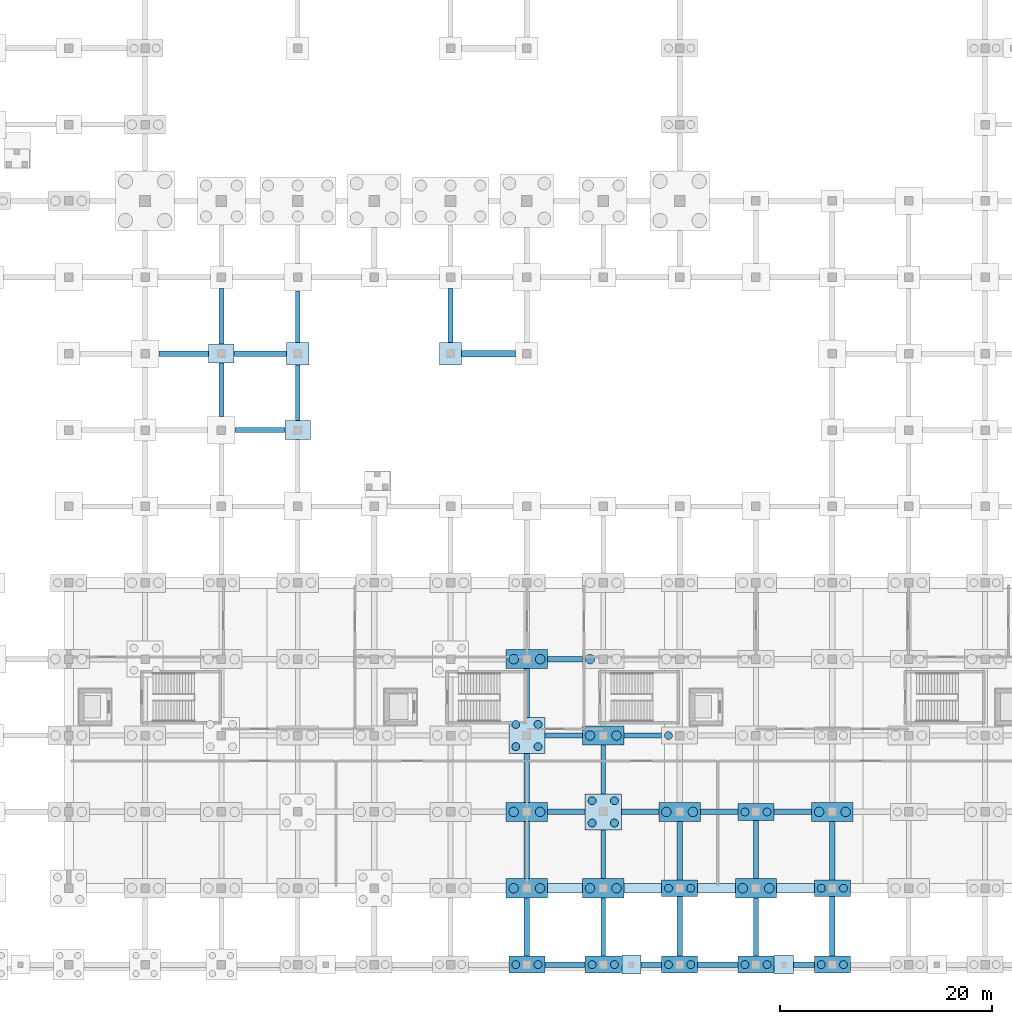
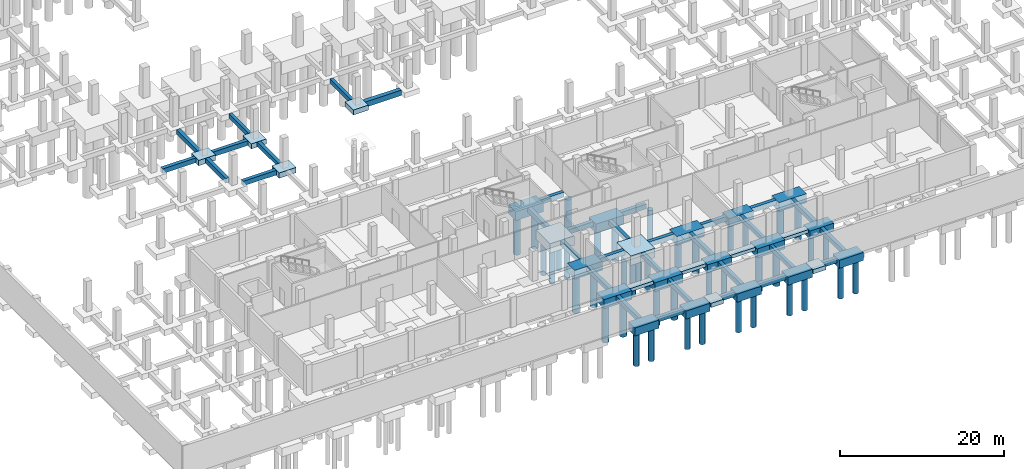
# One storey, part 4 of 22: 61 footings, 42 piles.
"""IFC4 building model written with IfcOpenShell, lengths in metres."""

from ifc_helpers import new_model, si_unit, direction, frame, origin, origin_2d, place, context, subcontext, project, spatial, polyline, rectangle, circle, outline, extrude, material, material_profile, profile_set, type_object, element, save


model = new_model("IFC4")

# Units and contexts
model_context = context("Model", 3, precision=1e-05, world=origin(), true_north=direction((0.0, 1.0)))
body_context = subcontext(model_context, "Body", "Model", "MODEL_VIEW")
ifc_project = project(units=[si_unit("LENGTHUNIT", "METRE"), si_unit("AREAUNIT", "SQUARE_METRE"), si_unit("VOLUMEUNIT", "CUBIC_METRE"), si_unit("PLANEANGLEUNIT", "RADIAN"), si_unit("MASSUNIT", "GRAM", prefix="KILO")], contexts=[model_context])

# Site, building, storey
site_placement = place(None, origin())
site = spatial("IfcSite", under=ifc_project, at=site_placement, CompositionType="ELEMENT")
building_placement = place(site_placement, origin())
building = spatial("IfcBuilding", under=site, at=building_placement, Name="Sardonyx Promenade Sports Hall", CompositionType="ELEMENT")
storey_placement = place(building_placement, frame((0.0, 0.0, -4.5)))
storey = spatial("IfcBuildingStorey", under=building, at=storey_placement, Name="B1", CompositionType="ELEMENT", Elevation=-4.5)

# Footings
ifc_material_1 = material(Name="Concrete C40/50", Category="concrete")
footing_type_1 = type_object("IfcFootingType", Name="Cap_2P_750", PredefinedType="PILE_CAP", material=ifc_material_1)
for number, where, z_axis, x_axis, name in (
    (1, (64.800048828125, 0.0, -1.2001953125), (0.0, 0.0, 1.0), (1.0, 0.0, 0.0), "Pile cap PC02 at (64.80, 0.00)"),
    (2, (72.0, 0.0, -1.2001953125), (0.0, 0.0, 1.0), (1.0, 0.0, 0.0), "Pile cap PC02 at (72.00, 0.00)"),
    (3, (79.199951171875, 0.0, -1.2001953125), (0.0, 0.0, 1.0), (1.0, 0.0, 0.0), "Pile cap PC02 at (79.20, 0.00)"),
    (4, (79.199951171875, 7.199951171875, -1.2001953125), (0.0, 0.0, 1.0), (1.0, 0.0, 0.0), "Pile cap PC02 at (79.20, 7.20)"),
    (5, (86.39990234375, 0.0, -1.2001953125), (0.0, 0.0, 1.0), (1.0, 0.0, 0.0), "Pile cap PC02 at (86.40, 0.00)"),
    (6, (86.39990234375, 14.39990234375, -1.2001953125), (0.0, 0.0, 1.0), (1.0, 0.0, 0.0), "Pile cap PC02 at (86.40, 14.40)"),
    (7, (93.60009765625, 0.0, -1.2001953125), (0.0, 0.0, 1.0), (1.0, 0.0, 0.0), "Pile cap PC02 at (93.60, 0.00)"),
    (8, (93.60009765625, 7.199951171875, -1.2001953125), (0.0, 0.0, 1.0), (1.0, 0.0, 0.0), "Pile cap PC02 at (93.60, 7.20)"),
):
    element("IfcFooting", number, at=place(storey_placement, frame(where, z_axis=z_axis, x_axis=x_axis)), inside=storey, type_object=footing_type_1, Name=name, PredefinedType="PILE_CAP", context=body_context, shape_type="SweptSolid", body=[
        extrude(rectangle(XDim=3.39990234375, YDim=1.60009765625, at=origin_2d()), origin(), (0.0, 0.0, 1.0), 1.199951171875),
    ])
ifc_material_2 = material(Name="Concrete C40/50", Category="concrete")
footing_type_2 = type_object("IfcFootingType", Name="Cap_2P_900", PredefinedType="PILE_CAP", material=ifc_material_2)
for number, where, z_axis, x_axis, name in (
    (9, (64.800048828125, 7.199951171875, -1.35009765625), (0.0, 0.0, 1.0), (1.0, 0.0, 0.0), "Pile cap PC09 at (64.80, 7.20)"),
    (10, (64.800048828125, 14.39990234375, -1.35009765625), (0.0, 0.0, 1.0), (1.0, 0.0, 0.0), "Pile cap PC09 at (64.80, 14.40)"),
    (11, (64.800048828125, 28.800048828125, -1.35009765625), (0.0, 0.0, 1.0), (1.0, 0.0, 0.0), "Pile cap PC09 at (64.80, 28.80)"),
    (12, (72.0, 7.199951171875, -1.35009765625), (0.0, 0.0, 1.0), (1.0, 0.0, 0.0), "Pile cap PC09 at (72.00, 7.20)"),
    (13, (72.0, 21.60009765625, -1.35009765625), (0.0, 0.0, 1.0), (1.0, 0.0, 0.0), "Pile cap PC09 at (72.00, 21.60)"),
    (14, (79.199951171875, 14.39990234375, -1.35009765625), (0.0, 0.0, 1.0), (1.0, 0.0, 0.0), "Pile cap PC09 at (79.20, 14.40)"),
    (15, (86.39990234375, 7.199951171875, -1.35009765625), (0.0, 0.0, 1.0), (1.0, 0.0, 0.0), "Pile cap PC09 at (86.40, 7.20)"),
    (16, (93.60009765625, 14.39990234375, -1.35009765625), (0.0, 0.0, 1.0), (1.0, 0.0, 0.0), "Pile cap PC09 at (93.60, 14.40)"),
):
    element("IfcFooting", number, at=place(storey_placement, frame(where, z_axis=z_axis, x_axis=x_axis)), inside=storey, type_object=footing_type_2, Name=name, PredefinedType="PILE_CAP", context=body_context, shape_type="SweptSolid", body=[
        extrude(rectangle(XDim=3.89990234375, YDim=1.800048828125, at=origin_2d()), origin(), (0.0, 0.0, 1.0), 1.35009765625),
    ])
ifc_material_3 = material(Name="Concrete C40/50", Category="concrete")
footing_type_3 = type_object("IfcFootingType", Name="Cap_4P_750", PredefinedType="PILE_CAP", material=ifc_material_3)
for number, where, z_axis, x_axis, name in (
    (17, (64.800048828125, 21.60009765625, -1.39990234375), (0.0, 0.0, 1.0), (1.0, 0.0, 0.0), "Pile cap PC04 at (64.80, 21.60)"),
    (18, (72.0, 14.39990234375, -1.39990234375), (0.0, 0.0, 1.0), (1.0, 0.0, 0.0), "Pile cap PC04 at (72.00, 14.40)"),
):
    element("IfcFooting", number, at=place(storey_placement, frame(where, z_axis=z_axis, x_axis=x_axis)), inside=storey, type_object=footing_type_3, Name=name, PredefinedType="PILE_CAP", context=body_context, shape_type="SweptSolid", body=[
        extrude(rectangle(XDim=3.39990234375, YDim=3.39990234375, at=origin_2d()), origin(), (0.0, 0.0, 1.0), 1.39990234375),
    ])
ifc_material_4 = material(Name="Concrete C40/50", Category="concrete")
footing_type_4 = type_object("IfcFootingType", Name="Ftg_Beam_450x650", PredefinedType="FOOTING_BEAM", material=ifc_material_4)
footing_1_placement = place(storey_placement, frame((0.0, 0.0, -0.64990234375)))
element("IfcFooting", 19, at=footing_1_placement, inside=storey, type_object=footing_type_4, Name="Ground tie beam GB03 #282", PredefinedType="FOOTING_BEAM", context=body_context, shape_type="SweptSolid", body=[
    extrude(outline(polyline([(42.97509765625, 51.300048828125), (43.425048828125, 51.300048828125), (43.425048828125, 56.550048828125), (42.97509765625, 56.550048828125), (42.97509765625, 51.300048828125)])), origin(), (0.0, 0.0, 1.0), 0.64990234375),
])
footing_2_placement = place(storey_placement, frame((0.0, 0.0, -0.64990234375)))
element("IfcFooting", 20, at=footing_2_placement, inside=storey, type_object=footing_type_4, Name="Ground tie beam GB03 #283", PredefinedType="FOOTING_BEAM", context=body_context, shape_type="SweptSolid", body=[
    extrude(outline(polyline([(42.97509765625, 58.64990234375), (43.425048828125, 58.64990234375), (43.425048828125, 63.5), (42.97509765625, 63.5), (42.97509765625, 58.64990234375)])), origin(), (0.0, 0.0, 1.0), 0.64990234375),
])
footing_3_placement = place(storey_placement, frame((0.0, 0.0, -0.64990234375)))
element("IfcFooting", 21, at=footing_3_placement, inside=storey, type_object=footing_type_4, Name="Ground tie beam GB03 #300", PredefinedType="FOOTING_BEAM", context=body_context, shape_type="SweptSolid", body=[
    extrude(outline(polyline([(57.375, 58.64990234375), (57.824951171875, 58.64990234375), (57.824951171875, 63.75), (57.375, 63.75), (57.375, 58.64990234375)])), origin(), (0.0, 0.0, 1.0), 0.64990234375),
])
footing_4_placement = place(storey_placement, frame((0.0, 0.0, -0.64990234375)))
element("IfcFooting", 22, at=footing_4_placement, inside=storey, type_object=footing_type_4, Name="Ground tie beam GB03 #314", PredefinedType="FOOTING_BEAM", context=body_context, shape_type="SweptSolid", body=[
    extrude(outline(polyline([(71.77490234375, 0.800048828125), (72.22509765625, 0.800048828125), (72.22509765625, 6.300048828125), (71.77490234375, 6.300048828125), (71.77490234375, 0.800048828125)])), origin(), (0.0, 0.0, 1.0), 0.64990234375),
])
footing_5_placement = place(storey_placement, frame((0.0, 0.0, -0.64990234375)))
element("IfcFooting", 23, at=footing_5_placement, inside=storey, type_object=footing_type_4, Name="Ground tie beam GB03 #315", PredefinedType="FOOTING_BEAM", context=body_context, shape_type="SweptSolid", body=[
    extrude(outline(polyline([(71.77490234375, 8.10009765625), (72.22509765625, 8.10009765625), (72.22509765625, 12.699951171875), (71.77490234375, 12.699951171875), (71.77490234375, 8.10009765625)])), origin(), (0.0, 0.0, 1.0), 0.64990234375),
])
footing_6_placement = place(storey_placement, frame((0.0, 0.0, -0.64990234375)))
element("IfcFooting", 24, at=footing_6_placement, inside=storey, type_object=footing_type_4, Name="Ground tie beam GB03 #316", PredefinedType="FOOTING_BEAM", context=body_context, shape_type="SweptSolid", body=[
    extrude(outline(polyline([(71.77490234375, 16.10009765625), (72.22509765625, 16.10009765625), (72.22509765625, 20.699951171875), (71.77490234375, 20.699951171875), (71.77490234375, 16.10009765625)])), origin(), (0.0, 0.0, 1.0), 0.64990234375),
])
footing_7_placement = place(storey_placement, frame((0.0, 0.0, -0.64990234375)))
element("IfcFooting", 25, at=footing_7_placement, inside=storey, type_object=footing_type_4, Name="Ground tie beam GB03 #332", PredefinedType="FOOTING_BEAM", context=body_context, shape_type="SweptSolid", body=[
    extrude(outline(polyline([(86.175048828125, 0.800048828125), (86.625, 0.800048828125), (86.625, 6.300048828125), (86.175048828125, 6.300048828125), (86.175048828125, 0.800048828125)])), origin(), (0.0, 0.0, 1.0), 0.64990234375),
])
footing_8_placement = place(storey_placement, frame((0.0, 0.0, -0.64990234375)))
element("IfcFooting", 26, at=footing_8_placement, inside=storey, type_object=footing_type_4, Name="Ground tie beam GB03 #333", PredefinedType="FOOTING_BEAM", context=body_context, shape_type="SweptSolid", body=[
    extrude(outline(polyline([(86.175048828125, 8.10009765625), (86.625, 8.10009765625), (86.625, 13.60009765625), (86.175048828125, 13.60009765625), (86.175048828125, 8.10009765625)])), origin(), (0.0, 0.0, 1.0), 0.64990234375),
])
ifc_material_5 = material(Name="Concrete C40/50", Category="concrete")
footing_type_5 = type_object("IfcFootingType", Name="Ftg_Beam_500x700", PredefinedType="FOOTING_BEAM", material=ifc_material_5)
footing_9_placement = place(storey_placement, frame((0.0, 0.0, -0.699951171875)))
element("IfcFooting", 27, at=footing_9_placement, inside=storey, type_object=footing_type_5, Name="Ground tie beam GB01 #10", PredefinedType="FOOTING_BEAM", context=body_context, shape_type="SweptSolid", body=[
    extrude(outline(polyline([(66.5, -0.25), (70.300048828125, -0.25), (70.300048828125, 0.25), (66.5, 0.25), (66.5, -0.25)])), origin(), (0.0, 0.0, 1.0), 0.699951171875),
])
footing_10_placement = place(storey_placement, frame((0.0, 0.0, -0.699951171875)))
element("IfcFooting", 28, at=footing_10_placement, inside=storey, type_object=footing_type_5, Name="Ground tie beam GB01 #11", PredefinedType="FOOTING_BEAM", context=body_context, shape_type="SweptSolid", body=[
    extrude(outline(polyline([(75.550048828125, -0.25), (77.5, -0.25), (77.5, 0.25), (75.550048828125, 0.25), (75.550048828125, -0.25)])), origin(), (0.0, 0.0, 1.0), 0.699951171875),
])
footing_11_placement = place(storey_placement, frame((0.0, 0.0, -0.699951171875)))
element("IfcFooting", 29, at=footing_11_placement, inside=storey, type_object=footing_type_5, Name="Ground tie beam GB01 #12", PredefinedType="FOOTING_BEAM", context=body_context, shape_type="SweptSolid", body=[
    extrude(outline(polyline([(80.89990234375, -0.25), (84.699951171875, -0.25), (84.699951171875, 0.25), (80.89990234375, 0.25), (80.89990234375, -0.25)])), origin(), (0.0, 0.0, 1.0), 0.699951171875),
])
footing_12_placement = place(storey_placement, frame((0.0, 0.0, -0.699951171875)))
element("IfcFooting", 30, at=footing_12_placement, inside=storey, type_object=footing_type_5, Name="Ground tie beam GB01 #13", PredefinedType="FOOTING_BEAM", context=body_context, shape_type="SweptSolid", body=[
    extrude(outline(polyline([(89.949951171875, -0.25), (91.89990234375, -0.25), (91.89990234375, 0.25), (89.949951171875, 0.25), (89.949951171875, -0.25)])), origin(), (0.0, 0.0, 1.0), 0.699951171875),
])
footing_13_placement = place(storey_placement, frame((0.0, 0.0, -0.699951171875)))
element("IfcFooting", 31, at=footing_13_placement, inside=storey, type_object=footing_type_5, Name="Ground tie beam GB01 #33", PredefinedType="FOOTING_BEAM", context=body_context, shape_type="SweptSolid", body=[
    extrude(outline(polyline([(66.75, 14.14990234375), (70.300048828125, 14.14990234375), (70.300048828125, 14.64990234375), (66.75, 14.64990234375), (66.75, 14.14990234375)])), origin(), (0.0, 0.0, 1.0), 0.699951171875),
])
footing_14_placement = place(storey_placement, frame((0.0, 0.0, -0.699951171875)))
element("IfcFooting", 32, at=footing_14_placement, inside=storey, type_object=footing_type_5, Name="Ground tie beam GB01 #34", PredefinedType="FOOTING_BEAM", context=body_context, shape_type="SweptSolid", body=[
    extrude(outline(polyline([(73.699951171875, 14.14990234375), (77.25, 14.14990234375), (77.25, 14.64990234375), (73.699951171875, 14.64990234375), (73.699951171875, 14.14990234375)])), origin(), (0.0, 0.0, 1.0), 0.699951171875),
])
footing_15_placement = place(storey_placement, frame((0.0, 0.0, -0.699951171875)))
element("IfcFooting", 33, at=footing_15_placement, inside=storey, type_object=footing_type_5, Name="Ground tie beam GB01 #35", PredefinedType="FOOTING_BEAM", context=body_context, shape_type="SweptSolid", body=[
    extrude(outline(polyline([(81.14990234375, 14.14990234375), (84.699951171875, 14.14990234375), (84.699951171875, 14.64990234375), (81.14990234375, 14.64990234375), (81.14990234375, 14.14990234375)])), origin(), (0.0, 0.0, 1.0), 0.699951171875),
])
footing_16_placement = place(storey_placement, frame((0.0, 0.0, -0.699951171875)))
element("IfcFooting", 34, at=footing_16_placement, inside=storey, type_object=footing_type_5, Name="Ground tie beam GB01 #36", PredefinedType="FOOTING_BEAM", context=body_context, shape_type="SweptSolid", body=[
    extrude(outline(polyline([(88.10009765625, 14.14990234375), (91.64990234375, 14.14990234375), (91.64990234375, 14.64990234375), (88.10009765625, 14.64990234375), (88.10009765625, 14.14990234375)])), origin(), (0.0, 0.0, 1.0), 0.699951171875),
])
footing_17_placement = place(storey_placement, frame((0.0, 0.0, -0.699951171875)))
element("IfcFooting", 35, at=footing_17_placement, inside=storey, type_object=footing_type_5, Name="Ground tie beam GB01 #56", PredefinedType="FOOTING_BEAM", context=body_context, shape_type="SweptSolid", body=[
    extrude(outline(polyline([(66.5, 21.35009765625), (70.050048828125, 21.35009765625), (70.050048828125, 21.85009765625), (66.5, 21.85009765625), (66.5, 21.35009765625)])), origin(), (0.0, 0.0, 1.0), 0.699951171875),
])
footing_18_placement = place(storey_placement, frame((0.0, 0.0, -0.699951171875)))
element("IfcFooting", 36, at=footing_18_placement, inside=storey, type_object=footing_type_5, Name="Ground tie beam GB01 #57", PredefinedType="FOOTING_BEAM", context=body_context, shape_type="SweptSolid", body=[
    extrude(outline(polyline([(73.949951171875, 21.35009765625), (77.5, 21.35009765625), (77.5, 21.85009765625), (73.949951171875, 21.85009765625), (73.949951171875, 21.35009765625)])), origin(), (0.0, 0.0, 1.0), 0.699951171875),
])
footing_19_placement = place(storey_placement, frame((0.0, 0.0, -0.699951171875)))
element("IfcFooting", 37, at=footing_19_placement, inside=storey, type_object=footing_type_5, Name="Ground tie beam GB01 #79", PredefinedType="FOOTING_BEAM", context=body_context, shape_type="SweptSolid", body=[
    extrude(outline(polyline([(66.75, 28.550048828125), (70.050048828125, 28.550048828125), (70.050048828125, 29.050048828125), (66.75, 29.050048828125), (66.75, 28.550048828125)])), origin(), (0.0, 0.0, 1.0), 0.699951171875),
])
footing_20_placement = place(storey_placement, frame((0.0, 0.0, -0.699951171875)))
element("IfcFooting", 38, at=footing_20_placement, inside=storey, type_object=footing_type_5, Name="Ground tie beam GB01 #115", PredefinedType="FOOTING_BEAM", context=body_context, shape_type="SweptSolid", body=[
    extrude(outline(polyline([(37.300048828125, 50.14990234375), (42.0, 50.14990234375), (42.0, 50.64990234375), (37.300048828125, 50.64990234375), (37.300048828125, 50.14990234375)])), origin(), (0.0, 0.0, 1.0), 0.699951171875),
])
footing_21_placement = place(storey_placement, frame((0.0, 0.0, -0.699951171875)))
element("IfcFooting", 39, at=footing_21_placement, inside=storey, type_object=footing_type_5, Name="Ground tie beam GB01 #127", PredefinedType="FOOTING_BEAM", context=body_context, shape_type="SweptSolid", body=[
    extrude(outline(polyline([(30.10009765625, 57.35009765625), (34.800048828125, 57.35009765625), (34.800048828125, 57.85009765625), (30.10009765625, 57.85009765625), (30.10009765625, 57.35009765625)])), origin(), (0.0, 0.0, 1.0), 0.699951171875),
])
footing_22_placement = place(storey_placement, frame((0.0, 0.0, -0.699951171875)))
element("IfcFooting", 40, at=footing_22_placement, inside=storey, type_object=footing_type_5, Name="Ground tie beam GB01 #128", PredefinedType="FOOTING_BEAM", context=body_context, shape_type="SweptSolid", body=[
    extrude(outline(polyline([(37.199951171875, 57.35009765625), (42.14990234375, 57.35009765625), (42.14990234375, 57.85009765625), (37.199951171875, 57.85009765625), (37.199951171875, 57.35009765625)])), origin(), (0.0, 0.0, 1.0), 0.699951171875),
])
footing_23_placement = place(storey_placement, frame((0.0, 0.0, -0.699951171875)))
element("IfcFooting", 41, at=footing_23_placement, inside=storey, type_object=footing_type_5, Name="Ground tie beam GB01 #272", PredefinedType="FOOTING_BEAM", context=body_context, shape_type="SweptSolid", body=[
    extrude(outline(polyline([(35.75, 51.699951171875), (36.25, 51.699951171875), (36.25, 56.699951171875), (35.75, 56.699951171875), (35.75, 51.699951171875)])), origin(), (0.0, 0.0, 1.0), 0.699951171875),
])
footing_24_placement = place(storey_placement, frame((0.0, 0.0, -0.699951171875)))
element("IfcFooting", 42, at=footing_24_placement, inside=storey, type_object=footing_type_5, Name="Ground tie beam GB01 #273", PredefinedType="FOOTING_BEAM", context=body_context, shape_type="SweptSolid", body=[
    extrude(outline(polyline([(35.75, 58.5), (36.25, 58.5), (36.25, 63.75), (35.75, 63.75), (35.75, 58.5)])), origin(), (0.0, 0.0, 1.0), 0.699951171875),
])
footing_25_placement = place(storey_placement, frame((0.0, 0.0, -0.699951171875)))
element("IfcFooting", 43, at=footing_25_placement, inside=storey, type_object=footing_type_5, Name="Ground tie beam GB01 #304", PredefinedType="FOOTING_BEAM", context=body_context, shape_type="SweptSolid", body=[
    extrude(outline(polyline([(64.550048828125, 0.800048828125), (65.050048828125, 0.800048828125), (65.050048828125, 6.300048828125), (64.550048828125, 6.300048828125), (64.550048828125, 0.800048828125)])), origin(), (0.0, 0.0, 1.0), 0.699951171875),
])
footing_26_placement = place(storey_placement, frame((0.0, 0.0, -0.699951171875)))
element("IfcFooting", 44, at=footing_26_placement, inside=storey, type_object=footing_type_5, Name="Ground tie beam GB01 #305", PredefinedType="FOOTING_BEAM", context=body_context, shape_type="SweptSolid", body=[
    extrude(outline(polyline([(64.550048828125, 8.10009765625), (65.050048828125, 8.10009765625), (65.050048828125, 13.5), (64.550048828125, 13.5), (64.550048828125, 8.10009765625)])), origin(), (0.0, 0.0, 1.0), 0.699951171875),
])
footing_27_placement = place(storey_placement, frame((0.0, 0.0, -0.699951171875)))
element("IfcFooting", 45, at=footing_27_placement, inside=storey, type_object=footing_type_5, Name="Ground tie beam GB01 #306", PredefinedType="FOOTING_BEAM", context=body_context, shape_type="SweptSolid", body=[
    extrude(outline(polyline([(64.550048828125, 15.300048828125), (65.050048828125, 15.300048828125), (65.050048828125, 19.89990234375), (64.550048828125, 19.89990234375), (64.550048828125, 15.300048828125)])), origin(), (0.0, 0.0, 1.0), 0.699951171875),
])
footing_28_placement = place(storey_placement, frame((0.0, 0.0, -0.699951171875)))
element("IfcFooting", 46, at=footing_28_placement, inside=storey, type_object=footing_type_5, Name="Ground tie beam GB01 #307", PredefinedType="FOOTING_BEAM", context=body_context, shape_type="SweptSolid", body=[
    extrude(outline(polyline([(64.550048828125, 23.300048828125), (65.050048828125, 23.300048828125), (65.050048828125, 27.89990234375), (64.550048828125, 27.89990234375), (64.550048828125, 23.300048828125)])), origin(), (0.0, 0.0, 1.0), 0.699951171875),
])
footing_29_placement = place(storey_placement, frame((0.0, 0.0, -0.699951171875)))
element("IfcFooting", 47, at=footing_29_placement, inside=storey, type_object=footing_type_5, Name="Ground tie beam GB01 #321", PredefinedType="FOOTING_BEAM", context=body_context, shape_type="SweptSolid", body=[
    extrude(outline(polyline([(78.949951171875, 0.800048828125), (79.449951171875, 0.800048828125), (79.449951171875, 6.39990234375), (78.949951171875, 6.39990234375), (78.949951171875, 0.800048828125)])), origin(), (0.0, 0.0, 1.0), 0.699951171875),
])
footing_30_placement = place(storey_placement, frame((0.0, 0.0, -0.699951171875)))
element("IfcFooting", 48, at=footing_30_placement, inside=storey, type_object=footing_type_5, Name="Ground tie beam GB01 #322", PredefinedType="FOOTING_BEAM", context=body_context, shape_type="SweptSolid", body=[
    extrude(outline(polyline([(78.949951171875, 8.0), (79.449951171875, 8.0), (79.449951171875, 13.5), (78.949951171875, 13.5), (78.949951171875, 8.0)])), origin(), (0.0, 0.0, 1.0), 0.699951171875),
])
footing_31_placement = place(storey_placement, frame((0.0, 0.0, -0.699951171875)))
element("IfcFooting", 49, at=footing_31_placement, inside=storey, type_object=footing_type_5, Name="Ground tie beam GB01 #340", PredefinedType="FOOTING_BEAM", context=body_context, shape_type="SweptSolid", body=[
    extrude(outline(polyline([(93.35009765625, 0.800048828125), (93.85009765625, 0.800048828125), (93.85009765625, 6.39990234375), (93.35009765625, 6.39990234375), (93.35009765625, 0.800048828125)])), origin(), (0.0, 0.0, 1.0), 0.699951171875),
])
footing_32_placement = place(storey_placement, frame((0.0, 0.0, -0.699951171875)))
element("IfcFooting", 50, at=footing_32_placement, inside=storey, type_object=footing_type_5, Name="Ground tie beam GB01 #341", PredefinedType="FOOTING_BEAM", context=body_context, shape_type="SweptSolid", body=[
    extrude(outline(polyline([(93.35009765625, 8.0), (93.85009765625, 8.0), (93.85009765625, 13.5), (93.35009765625, 13.5), (93.35009765625, 8.0)])), origin(), (0.0, 0.0, 1.0), 0.699951171875),
])
ifc_material_6 = material(Name="Concrete C40/50", Category="concrete")
footing_type_6 = type_object("IfcFootingType", Name="Ftg_Beam_600x800", PredefinedType="FOOTING_BEAM", material=ifc_material_6)
footing_33_placement = place(storey_placement, frame((0.0, 0.0, -0.800048828125)))
element("IfcFooting", 51, at=footing_33_placement, inside=storey, type_object=footing_type_6, Name="Ground tie beam GB02 #129", PredefinedType="FOOTING_BEAM", context=body_context, shape_type="SweptSolid", body=[
    extrude(outline(polyline([(58.64990234375, 57.300048828125), (63.75, 57.300048828125), (63.75, 57.89990234375), (58.64990234375, 57.89990234375), (58.64990234375, 57.300048828125)])), origin(), (0.0, 0.0, 1.0), 0.800048828125),
])
ifc_material_7 = material(Name="Concrete C40/50", Category="concrete")
footing_type_7 = type_object("IfcFootingType", Name="Ftg_Pad_1800", PredefinedType="PAD_FOOTING", material=ifc_material_7)
for number, where, z_axis, x_axis, name in (
    (52, (74.64990234375, 0.0, -0.64990234375), (0.0, 0.0, 1.0), (1.0, 0.0, 0.0), "Pilaster pad footing #3"),
    (53, (89.050048828125, 0.0, -0.64990234375), (0.0, 0.0, 1.0), (1.0, 0.0, 0.0), "Pilaster pad footing #4"),
):
    element("IfcFooting", number, at=place(storey_placement, frame(where, z_axis=z_axis, x_axis=x_axis)), inside=storey, type_object=footing_type_7, Name=name, PredefinedType="PAD_FOOTING", context=body_context, shape_type="SweptSolid", body=[
        extrude(rectangle(XDim=1.800048828125, YDim=1.800048828125, at=origin_2d()), origin(), (0.0, 0.0, 1.0), 0.64990234375),
    ])
ifc_material_8 = material(Name="Concrete C40/50", Category="concrete")
footing_type_8 = type_object("IfcFootingType", Name="Ftg_Pad_2100", PredefinedType="PAD_FOOTING", material=ifc_material_8)
for number, where, z_axis, x_axis, name in (
    (54, (43.199951171875, 57.60009765625, -0.75), (0.0, 0.0, 1.0), (1.0, 0.0, 0.0), "Rock-bearing pad footing PF02 at (43.20, 57.60)"),
    (55, (57.60009765625, 57.60009765625, -0.75), (0.0, 0.0, 1.0), (1.0, 0.0, 0.0), "Substructure court slab pad footing PF02 #44"),
):
    element("IfcFooting", number, at=place(storey_placement, frame(where, z_axis=z_axis, x_axis=x_axis)), inside=storey, type_object=footing_type_8, Name=name, PredefinedType="PAD_FOOTING", context=body_context, shape_type="SweptSolid", body=[
        extrude(rectangle(XDim=2.10009765625, YDim=2.10009765625, at=origin_2d()), origin(), (0.0, 0.0, 1.0), 0.75),
    ])
ifc_material_9 = material(Name="Concrete C40/50", Category="concrete")
footing_type_9 = type_object("IfcFootingType", Name="Ftg_Pad_2400x1800", PredefinedType="PAD_FOOTING", material=ifc_material_9)
for number, where, z_axis, x_axis, name in (
    (56, (36.0, 57.60009765625, -0.7998046875), (0.0, 0.0, 1.0), (1.0, 0.0, 0.0), "Rock-bearing pad footing PF03 at (36.00, 57.60)"),
    (57, (43.199951171875, 50.39990234375, -0.7998046875), (0.0, 0.0, 1.0), (1.0, 0.0, 0.0), "Rock-bearing pad footing PF03 at (43.20, 50.40)"),
):
    element("IfcFooting", number, at=place(storey_placement, frame(where, z_axis=z_axis, x_axis=x_axis)), inside=storey, type_object=footing_type_9, Name=name, PredefinedType="PAD_FOOTING", context=body_context, shape_type="SweptSolid", body=[
        extrude(rectangle(XDim=2.39990234375, YDim=1.800048828125, at=origin_2d()), origin(), (0.0, 0.0, 1.0), 0.800048828125),
    ])
ifc_material_10 = material(Name="Concrete C40/50", Category="concrete")
footing_type_10 = type_object("IfcFootingType", Name="Ftg_Strip_900x500", PredefinedType="STRIP_FOOTING", material=ifc_material_10)
footing_34_placement = place(storey_placement, frame((0.0, 0.0, -0.5)))
element("IfcFooting", 58, at=footing_34_placement, inside=storey, type_object=footing_type_10, Name="Basement wall strip footing SF01 #7", PredefinedType="STRIP_FOOTING", context=body_context, shape_type="SweptSolid", body=[
    extrude(outline(polyline([(66.75, 6.75), (70.050048828125, 6.75), (70.050048828125, 7.64990234375), (66.75, 7.64990234375), (66.75, 6.75)])), origin(), (0.0, 0.0, 1.0), 0.5),
])
footing_35_placement = place(storey_placement, frame((0.0, 0.0, -0.5)))
element("IfcFooting", 59, at=footing_35_placement, inside=storey, type_object=footing_type_10, Name="Basement wall strip footing SF01 #8", PredefinedType="STRIP_FOOTING", context=body_context, shape_type="SweptSolid", body=[
    extrude(outline(polyline([(73.949951171875, 6.75), (77.5, 6.75), (77.5, 7.64990234375), (73.949951171875, 7.64990234375), (73.949951171875, 6.75)])), origin(), (0.0, 0.0, 1.0), 0.5),
])
footing_36_placement = place(storey_placement, frame((0.0, 0.0, -0.5)))
element("IfcFooting", 60, at=footing_36_placement, inside=storey, type_object=footing_type_10, Name="Basement wall strip footing SF01 #9", PredefinedType="STRIP_FOOTING", context=body_context, shape_type="SweptSolid", body=[
    extrude(outline(polyline([(80.89990234375, 6.75), (84.449951171875, 6.75), (84.449951171875, 7.64990234375), (80.89990234375, 7.64990234375), (80.89990234375, 6.75)])), origin(), (0.0, 0.0, 1.0), 0.5),
])
footing_37_placement = place(storey_placement, frame((0.0, 0.0, -0.5)))
element("IfcFooting", 61, at=footing_37_placement, inside=storey, type_object=footing_type_10, Name="Basement wall strip footing SF01 #10", PredefinedType="STRIP_FOOTING", context=body_context, shape_type="SweptSolid", body=[
    extrude(outline(polyline([(88.35009765625, 6.75), (91.89990234375, 6.75), (91.89990234375, 7.64990234375), (88.35009765625, 7.64990234375), (88.35009765625, 6.75)])), origin(), (0.0, 0.0, 1.0), 0.5),
])

# Piles
ifc_material_11 = material(Name="Concrete C40/50", Category="concrete")
ifc_material_profile_1 = material_profile(ifc_material_11, circle(Radius=0.375, at=origin_2d()))
ifc_profile_set_1 = profile_set([ifc_material_profile_1], Name="Concrete C40/50")
pile_type_1 = type_object("IfcPileType", Name="Pile_BP750", PredefinedType="BORED", material=ifc_profile_set_1)
for number, where, z_axis, x_axis, name in (
    (62, (63.75, 0.0, -1.10009765625), (0.0, 0.0, -1.0), (1.0, 0.0, 0.0), "Bored pile BP02 #1 under ftg:cap:64.800_0.000"),
    (63, (65.85009765625, 0.0, -1.10009765625), (0.0, 0.0, -1.0), (1.0, 0.0, 0.0), "Bored pile BP02 #2 under ftg:cap:64.800_0.000"),
    (64, (63.75, 20.550048828125, -1.300048828125), (0.0, 0.0, -1.0), (1.0, 0.0, 0.0), "Bored pile BP02 #1 under ftg:cap:64.800_21.600"),
    (65, (65.85009765625, 20.550048828125, -1.300048828125), (0.0, 0.0, -1.0), (1.0, 0.0, 0.0), "Bored pile BP02 #2 under ftg:cap:64.800_21.600"),
    (66, (63.75, 22.64990234375, -1.300048828125), (0.0, 0.0, -1.0), (1.0, 0.0, 0.0), "Bored pile BP02 #3 under ftg:cap:64.800_21.600"),
    (67, (65.85009765625, 22.64990234375, -1.300048828125), (0.0, 0.0, -1.0), (1.0, 0.0, 0.0), "Bored pile BP02 #4 under ftg:cap:64.800_21.600"),
    (68, (70.949951171875, 0.0, -1.10009765625), (0.0, 0.0, -1.0), (1.0, 0.0, 0.0), "Bored pile BP02 #1 under ftg:cap:72.000_0.000"),
    (69, (73.050048828125, 0.0, -1.10009765625), (0.0, 0.0, -1.0), (1.0, 0.0, 0.0), "Bored pile BP02 #2 under ftg:cap:72.000_0.000"),
    (70, (70.949951171875, 13.35009765625, -1.300048828125), (0.0, 0.0, -1.0), (1.0, 0.0, 0.0), "Bored pile BP02 #1 under ftg:cap:72.000_14.400"),
    (71, (73.050048828125, 13.35009765625, -1.300048828125), (0.0, 0.0, -1.0), (1.0, 0.0, 0.0), "Bored pile BP02 #2 under ftg:cap:72.000_14.400"),
    (72, (70.949951171875, 15.449951171875, -1.300048828125), (0.0, 0.0, -1.0), (1.0, 0.0, 0.0), "Bored pile BP02 #3 under ftg:cap:72.000_14.400"),
    (73, (73.050048828125, 15.449951171875, -1.300048828125), (0.0, 0.0, -1.0), (1.0, 0.0, 0.0), "Bored pile BP02 #4 under ftg:cap:72.000_14.400"),
    (74, (78.14990234375, 0.0, -1.10009765625), (0.0, 0.0, -1.0), (1.0, 0.0, 0.0), "Bored pile BP02 #1 under ftg:cap:79.200_0.000"),
    (75, (80.25, 0.0, -1.10009765625), (0.0, 0.0, -1.0), (1.0, 0.0, 0.0), "Bored pile BP02 #2 under ftg:cap:79.200_0.000"),
    (76, (78.14990234375, 7.199951171875, -1.10009765625), (0.0, 0.0, -1.0), (1.0, 0.0, 0.0), "Bored pile BP02 #1 under ftg:cap:79.200_7.200"),
    (77, (80.25, 7.199951171875, -1.10009765625), (0.0, 0.0, -1.0), (1.0, 0.0, 0.0), "Bored pile BP02 #2 under ftg:cap:79.200_7.200"),
    (78, (78.14990234375, 21.60009765625, -1.10009765625), (0.0, 0.0, -1.0), (1.0, 0.0, 0.0), "Bored pile BP02 #1 under ftg:cap:79.200_21.600"),
    (79, (85.35009765625, 0.0, -1.10009765625), (0.0, 0.0, -1.0), (1.0, 0.0, 0.0), "Bored pile BP02 #1 under ftg:cap:86.400_0.000"),
    (80, (87.449951171875, 0.0, -1.10009765625), (0.0, 0.0, -1.0), (1.0, 0.0, 0.0), "Bored pile BP02 #2 under ftg:cap:86.400_0.000"),
    (81, (85.35009765625, 14.39990234375, -1.10009765625), (0.0, 0.0, -1.0), (1.0, 0.0, 0.0), "Bored pile BP02 #1 under ftg:cap:86.400_14.400"),
    (82, (87.449951171875, 14.39990234375, -1.10009765625), (0.0, 0.0, -1.0), (1.0, 0.0, 0.0), "Bored pile BP02 #2 under ftg:cap:86.400_14.400"),
    (83, (92.550048828125, 0.0, -1.10009765625), (0.0, 0.0, -1.0), (1.0, 0.0, 0.0), "Bored pile BP02 #1 under ftg:cap:93.600_0.000"),
    (84, (94.64990234375, 0.0, -1.10009765625), (0.0, 0.0, -1.0), (1.0, 0.0, 0.0), "Bored pile BP02 #2 under ftg:cap:93.600_0.000"),
    (85, (92.550048828125, 7.199951171875, -1.10009765625), (0.0, 0.0, -1.0), (1.0, 0.0, 0.0), "Bored pile BP02 #1 under ftg:cap:93.600_7.200"),
    (86, (94.64990234375, 7.199951171875, -1.10009765625), (0.0, 0.0, -1.0), (1.0, 0.0, 0.0), "Bored pile BP02 #2 under ftg:cap:93.600_7.200"),
):
    element("IfcPile", number, at=place(storey_placement, frame(where, z_axis=z_axis, x_axis=x_axis)), inside=storey, type_object=pile_type_1, Name=name, PredefinedType="BORED", context=body_context, shape_type="SweptSolid", body=[
        extrude(circle(Radius=0.375, at=origin_2d()), origin(), (0.0, 0.0, 1.0), 5.10009765625),
    ])
ifc_material_12 = material(Name="Concrete C40/50", Category="concrete")
ifc_material_profile_2 = material_profile(ifc_material_12, circle(Radius=0.449951171875, at=origin_2d()))
ifc_profile_set_2 = profile_set([ifc_material_profile_2], Name="Concrete C40/50")
pile_type_2 = type_object("IfcPileType", Name="Pile_BP900", PredefinedType="BORED", material=ifc_profile_set_2)
for number, where, z_axis, x_axis, name in (
    (87, (63.550048828125, 7.199951171875, -1.25), (0.0, 0.0, -1.0), (1.0, 0.0, 0.0), "Bored pile BP05 #1 under ftg:cap:64.800_7.200"),
    (88, (66.050048828125, 7.199951171875, -1.25), (0.0, 0.0, -1.0), (1.0, 0.0, 0.0), "Bored pile BP05 #2 under ftg:cap:64.800_7.200"),
    (89, (63.550048828125, 14.39990234375, -1.25), (0.0, 0.0, -1.0), (1.0, 0.0, 0.0), "Bored pile BP05 #1 under ftg:cap:64.800_14.400"),
    (90, (66.050048828125, 14.39990234375, -1.25), (0.0, 0.0, -1.0), (1.0, 0.0, 0.0), "Bored pile BP05 #2 under ftg:cap:64.800_14.400"),
    (91, (63.550048828125, 28.800048828125, -1.25), (0.0, 0.0, -1.0), (1.0, 0.0, 0.0), "Bored pile BP05 #1 under ftg:cap:64.800_28.800"),
    (92, (66.050048828125, 28.800048828125, -1.25), (0.0, 0.0, -1.0), (1.0, 0.0, 0.0), "Bored pile BP05 #2 under ftg:cap:64.800_28.800"),
    (93, (70.75, 7.199951171875, -1.25), (0.0, 0.0, -1.0), (1.0, 0.0, 0.0), "Bored pile BP05 #1 under ftg:cap:72.000_7.200"),
    (94, (73.25, 7.199951171875, -1.25), (0.0, 0.0, -1.0), (1.0, 0.0, 0.0), "Bored pile BP05 #2 under ftg:cap:72.000_7.200"),
    (95, (70.75, 21.60009765625, -1.25), (0.0, 0.0, -1.0), (1.0, 0.0, 0.0), "Bored pile BP05 #1 under ftg:cap:72.000_21.600"),
    (96, (73.25, 21.60009765625, -1.25), (0.0, 0.0, -1.0), (1.0, 0.0, 0.0), "Bored pile BP05 #2 under ftg:cap:72.000_21.600"),
    (97, (70.75, 28.800048828125, -1.25), (0.0, 0.0, -1.0), (1.0, 0.0, 0.0), "Bored pile BP05 #1 under ftg:cap:72.000_28.800"),
    (98, (77.949951171875, 14.39990234375, -1.25), (0.0, 0.0, -1.0), (1.0, 0.0, 0.0), "Bored pile BP05 #1 under ftg:cap:79.200_14.400"),
    (99, (80.449951171875, 14.39990234375, -1.25), (0.0, 0.0, -1.0), (1.0, 0.0, 0.0), "Bored pile BP05 #2 under ftg:cap:79.200_14.400"),
    (100, (85.14990234375, 7.199951171875, -1.25), (0.0, 0.0, -1.0), (1.0, 0.0, 0.0), "Bored pile BP05 #1 under ftg:cap:86.400_7.200"),
    (101, (87.64990234375, 7.199951171875, -1.25), (0.0, 0.0, -1.0), (1.0, 0.0, 0.0), "Bored pile BP05 #2 under ftg:cap:86.400_7.200"),
    (102, (92.35009765625, 14.39990234375, -1.25), (0.0, 0.0, -1.0), (1.0, 0.0, 0.0), "Bored pile BP05 #1 under ftg:cap:93.600_14.400"),
    (103, (94.85009765625, 14.39990234375, -1.25), (0.0, 0.0, -1.0), (1.0, 0.0, 0.0), "Bored pile BP05 #2 under ftg:cap:93.600_14.400"),
):
    element("IfcPile", number, at=place(storey_placement, frame(where, z_axis=z_axis, x_axis=x_axis)), inside=storey, type_object=pile_type_2, Name=name, PredefinedType="BORED", context=body_context, shape_type="SweptSolid", body=[
        extrude(circle(Radius=0.449951171875, at=origin_2d()), origin(), (0.0, 0.0, 1.0), 5.699951171875),
    ])

save(model, "model.ifc")
